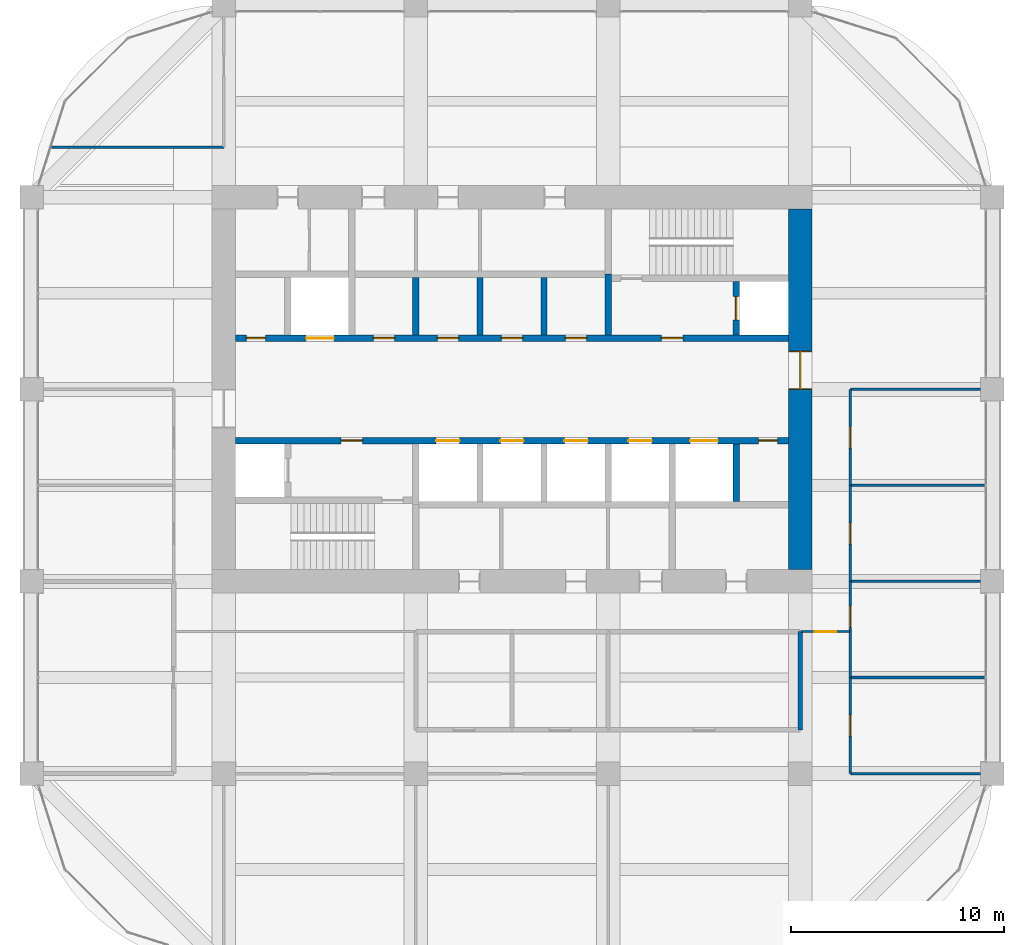
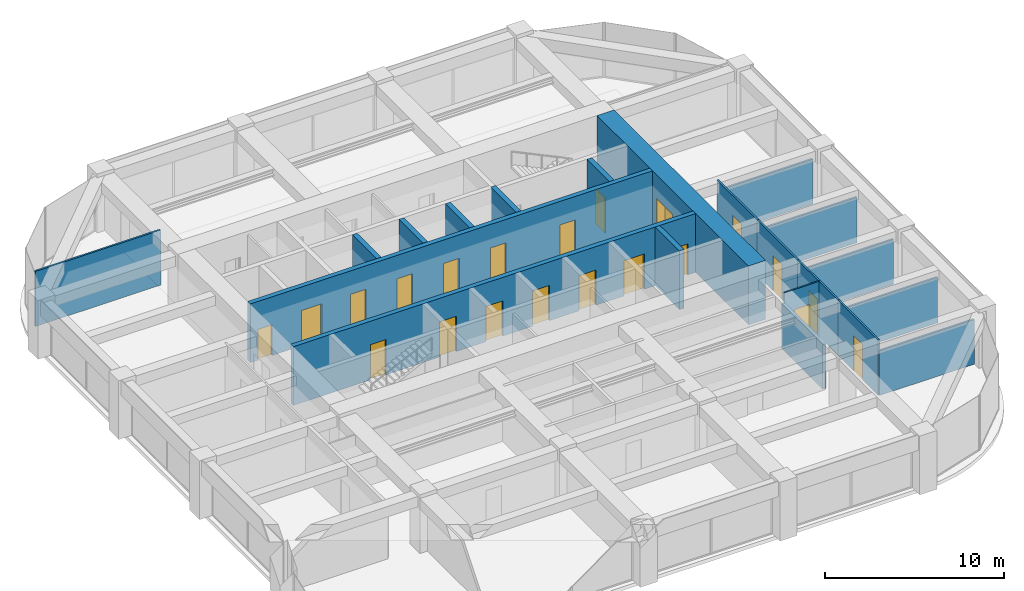
# One storey, part 42 of 44: 21 doors, 21 walls, 21 openings.
"""IFC4 building model written with IfcOpenShell, lengths in metres."""

import ifcopenshell
import ifcopenshell.guid

model = None  # the IFC model being written
_history = None  # IfcOwnerHistory: only IFC2X3 demands one
_inside = {}  # id of a spatial element -> (the spatial element, [elements in it])
_under = {}  # id of a project, library or spatial element -> (it, [spatial elements below it])
_declared = {}  # id of a project -> (the project, [libraries it declares])
_typed = {}  # id of a type object -> (the type object, [elements of that type])
_made_of = {}  # id of a material, layer set ... -> (it, [elements and type objects made of it])


def new_model(schema):
    """Start an empty IFC model of exactly this schema.

    Asked for "IFC4X3", IfcOpenShell would pick the latest addendum, in which some entities
    have other attributes; the version numbers below select the first issue.
    IFC2X3 requires an IfcOwnerHistory on every rooted entity: one is made here for all.
    """
    global model, _history
    if schema == "IFC4X3":
        model = ifcopenshell.file(schema_version=(4, 3, 0, 0))
    else:
        model = ifcopenshell.file(schema=schema)
    _inside.clear()
    _under.clear()
    _declared.clear()
    _typed.clear()
    _made_of.clear()
    _history = None
    if model.schema == "IFC2X3":
        org = make("IfcOrganization", Name="unknown")
        user = make(
            "IfcPersonAndOrganization",
            ThePerson=make("IfcPerson", FamilyName="unknown"),
            TheOrganization=org,
        )
        app = make(
            "IfcApplication",
            ApplicationDeveloper=org,
            Version="unknown",
            ApplicationFullName="unknown",
            ApplicationIdentifier="unknown",
        )
        _history = make(
            "IfcOwnerHistory",
            OwningUser=user,
            OwningApplication=app,
            ChangeAction="ADDED",
            CreationDate=0,
        )
    return model


def make(cls, **values):
    """One entity of the class cls with the attributes given. An attribute that is None is left unset."""
    return model.create_entity(
        cls, **{name: value for name, value in values.items() if value is not None}
    )


def rooted(cls, **values):
    """An entity with a GlobalId (a new one), such as an element, a storey or a relation."""
    return make(cls, GlobalId=ifcopenshell.guid.new(), OwnerHistory=_history, **values)


def si_unit(unit_type, name, prefix=None):
    """IfcSIUnit, for example si_unit("LENGTHUNIT", "METRE", prefix="MILLI")."""
    return make("IfcSIUnit", UnitType=unit_type, Prefix=prefix, Name=name)


def assignment(units):
    """IfcUnitAssignment: the units of a project."""
    return None if units is None else make("IfcUnitAssignment", Units=units)


def point(xyz):
    """IfcCartesianPoint."""
    return None if xyz is None else make("IfcCartesianPoint", Coordinates=xyz)


def direction(xyz):
    """IfcDirection."""
    return None if xyz is None else make("IfcDirection", DirectionRatios=xyz)


def frame(location, z_axis=None, x_axis=None):
    """IfcAxis2Placement3D, a coordinate frame: its origin and axes. An axis left out is left unset."""
    return make(
        "IfcAxis2Placement3D",
        Location=point(location),
        Axis=direction(z_axis),
        RefDirection=direction(x_axis),
    )


def frame_2d(location, x_axis=None):
    """IfcAxis2Placement2D, a coordinate frame in the plane: its origin and x axis."""
    return make(
        "IfcAxis2Placement2D", Location=point(location), RefDirection=direction(x_axis)
    )


def origin():
    """The frame at (0, 0, 0) with its axes left unset."""
    return frame((0.0, 0.0, 0.0))


def place(relative_to, where):
    """IfcLocalPlacement: puts the frame where relative to a parent placement (None: the world)."""
    return make(
        "IfcLocalPlacement", PlacementRelTo=relative_to, RelativePlacement=where
    )


def context(
    kind, dimensions, precision=None, world=None, true_north=None, identifier=None
):
    """IfcGeometricRepresentationContext, for example the 3D "Model" context."""
    return make(
        "IfcGeometricRepresentationContext",
        ContextIdentifier=identifier,
        ContextType=kind,
        CoordinateSpaceDimension=dimensions,
        Precision=precision,
        WorldCoordinateSystem=world,
        TrueNorth=true_north,
    )


def subcontext(parent, identifier, kind, view, scale=None):
    """IfcGeometricRepresentationSubContext, for example "Body" below "Model"."""
    return make(
        "IfcGeometricRepresentationSubContext",
        ContextIdentifier=identifier,
        ContextType=kind,
        ParentContext=parent,
        TargetScale=scale,
        TargetView=view,
    )


def project(units=None, contexts=None):
    """IfcProject with its units and contexts."""
    return rooted(
        "IfcProject",
        Name="project",
        RepresentationContexts=contexts,
        UnitsInContext=assignment(units),
    )


def spatial(cls, under=None, at=None, **own):
    """A site, building, storey or space (cls), placed at a placement, below another one or the project."""
    s = rooted(cls, ObjectPlacement=at, **own)
    if under is not None:
        _under.setdefault(under.id(), (under, []))[1].append(s)
    return s


def profile(cls, at=None, kind="AREA", **sizes):
    """A parametric profile (cls). Its sizes go by their IFC names, for example OverallWidth=200.0."""
    return make(cls, ProfileType=kind, Position=at, **sizes)


def rectangle(**sizes):
    """IfcRectangleProfileDef."""
    return profile("IfcRectangleProfileDef", **sizes)


def extrude(swept, where, along, depth):
    """IfcExtrudedAreaSolid: the profile swept, set in the frame where, extruded along a direction by depth."""
    return make(
        "IfcExtrudedAreaSolid",
        SweptArea=swept,
        Position=where,
        ExtrudedDirection=direction(along),
        Depth=depth,
    )


def shape(context_of_items, identifier, shape_type, items):
    """IfcShapeRepresentation: the items that make up one representation, for example the "Body"."""
    return make(
        "IfcShapeRepresentation",
        ContextOfItems=context_of_items,
        RepresentationIdentifier=identifier,
        RepresentationType=shape_type,
        Items=items,
    )


def material(Name=None, Category=None):
    """IfcMaterial."""
    return make("IfcMaterial", Name=Name, Category=Category)


def layer(
    of_material, thickness, ventilated=None, Name=None, Category=None, Priority=None
):
    """IfcMaterialLayer: one layer of a wall or slab, of a material (None: an air gap)."""
    return make(
        "IfcMaterialLayer",
        Material=of_material,
        LayerThickness=thickness,
        IsVentilated=ventilated,
        Name=Name,
        Category=Category,
        Priority=Priority,
    )


def layer_set(layers, Name=None):
    """IfcMaterialLayerSet."""
    return make("IfcMaterialLayerSet", MaterialLayers=layers, LayerSetName=Name)


def made_of(thing, what):
    """Note that an element or type object is made of a material, layer set ...; save() writes the relation."""
    if what is not None:
        _made_of.setdefault(what.id(), (what, []))[1].append(thing)
    return thing


def type_object(cls, material=None, **own):
    """A type object (cls), such as IfcWallType, which elements share."""
    return made_of(rooted(cls, **own), material)


def element(
    cls,
    number,
    at=None,
    inside=None,
    cuts=None,
    type_object=None,
    material=None,
    context=None,
    identifier="Body",
    shape_type=None,
    held_by="IfcProductDefinitionShape",
    body=None,
    shapes=None,
    **own,
):
    """One element of the class cls, such as IfcWall. Its Tag is "e" and its number.

    at: its placement. inside: the storey or other place that contains it. cuts: it is an
    opening in that element (IfcRelVoidsElement). A single representation is given by context,
    identifier, shape_type and body (its items); several are given by shapes. held_by: the class
    of the entity that holds the representations. save() writes the other relations.
    """
    e = rooted(cls, Tag="e%d" % number, ObjectPlacement=at, **own)
    if body is not None:
        shapes = [shape(context, identifier, shape_type, body)]
    if shapes is not None:
        e.Representation = make(held_by, Representations=shapes)
    if inside is not None:
        _inside.setdefault(inside.id(), (inside, []))[1].append(e)
    if cuts is not None:
        rooted(
            "IfcRelVoidsElement", RelatingBuildingElement=cuts, RelatedOpeningElement=e
        )
    if type_object is not None:
        _typed.setdefault(type_object.id(), (type_object, []))[1].append(e)
    return made_of(e, material)


def fill(opening, filler):
    """IfcRelFillsElement: the door or window that sits in an opening."""
    return rooted(
        "IfcRelFillsElement",
        RelatingOpeningElement=opening,
        RelatedBuildingElement=filler,
    )


def aggregate(whole, parts):
    """IfcRelAggregates: a whole, such as a stair, and the parts it consists of."""
    return rooted("IfcRelAggregates", RelatingObject=whole, RelatedObjects=parts)


def save(model, path):
    """Write the relations noted so far, then the file.

    IfcRelAggregates (storeys below a building ...), IfcRelContainedInSpatialStructure (elements
    in a storey), IfcRelDefinesByType, IfcRelAssociatesMaterial and IfcRelDeclares: one each for
    every whole, place, type object, material and project.
    """
    for whole, parts in _under.values():
        aggregate(whole, parts)
    for where, things in _inside.values():
        rooted(
            "IfcRelContainedInSpatialStructure",
            RelatedElements=things,
            RelatingStructure=where,
        )
    for kind, things in _typed.values():
        rooted("IfcRelDefinesByType", RelatedObjects=things, RelatingType=kind)
    for what, things in _made_of.values():
        rooted("IfcRelAssociatesMaterial", RelatedObjects=things, RelatingMaterial=what)
    for by, libraries in _declared.values():
        rooted("IfcRelDeclares", RelatingContext=by, RelatedDefinitions=libraries)
    model.write(path)


model = new_model("IFC4")

# Units and contexts
model_context = context("Model", 3, precision=1e-05, world=origin(), true_north=direction((0.0, 1.0)))
body_context = subcontext(model_context, "Body", "Model", "MODEL_VIEW")
ifc_project = project(units=[si_unit("LENGTHUNIT", "METRE"), si_unit("AREAUNIT", "SQUARE_METRE"), si_unit("VOLUMEUNIT", "CUBIC_METRE"), si_unit("PLANEANGLEUNIT", "RADIAN"), si_unit("MASSUNIT", "GRAM", prefix="KILO")], contexts=[model_context])

# Site, building, storey
site_placement = place(None, origin())
site = spatial("IfcSite", under=ifc_project, at=site_placement, CompositionType="ELEMENT")
building_placement = place(site_placement, origin())
building = spatial("IfcBuilding", under=site, at=building_placement, Name="Zorevar Civic Tower", CompositionType="ELEMENT")
storey_placement = place(building_placement, frame((0.0, 0.0, 263.39990234375)))
storey = spatial("IfcBuildingStorey", under=building, at=storey_placement, Name="L64", CompositionType="ELEMENT", Elevation=263.39990234375)

# Wall
ifc_material_1 = material(Name="Concrete blockwork", Category="masonry")
ifc_layer_1 = layer(ifc_material_1, 0.199951171875)
ifc_layer_set_1 = layer_set([ifc_layer_1], Name="Blockwork wall 200")
wall_type_1 = type_object("IfcWallType", Name="Blockwork wall 200", PredefinedType="SOLIDWALL", material=ifc_layer_set_1)
wall_1_placement = place(storey_placement, frame((45.0, 11.050048828125, 0.0), z_axis=(0.0, 0.0, 1.0), x_axis=(0.0, 1.0, 0.0)))
element("IfcWall", 1, at=wall_1_placement, inside=storey, type_object=wall_type_1, Name="Blockwork wall 200 L64", PredefinedType="SOLIDWALL", context=body_context, shape_type="SweptSolid", body=[
    extrude(rectangle(XDim=4.599853515625, YDim=0.199951171875, at=frame_2d((2.2998046875, 0.0))), origin(), (0.0, 0.0, 1.0), 3.050048828125),
])

# Wall, opening, door
ifc_material_2 = material(Name="Concrete C50/60", Category="concrete")
ifc_layer_2 = layer(ifc_material_2, 1.10009765625)
ifc_layer_set_2 = layer_set([ifc_layer_2], Name="Core wall 1100")
wall_type_2 = type_object("IfcWallType", Name="Core wall 1100", PredefinedType="SHEAR", material=ifc_layer_set_2)
wall_2_placement = place(storey_placement, frame((45.0, 18.550048828125, 0.0), z_axis=(0.0, 0.0, 1.0), x_axis=(0.0, 1.0, 0.0)))
wall_2 = element("IfcWall", 2, at=wall_2_placement, inside=storey, type_object=wall_type_2, Name="Core wall E L64", PredefinedType="SHEAR", context=body_context, shape_type="SweptSolid", body=[
    extrude(rectangle(XDim=16.89990234375, YDim=1.10009765625, at=frame_2d((8.449951171875, 0.0))), origin(), (0.0, 0.0, 1.0), 4.0),
])
opening_1_placement = place(wall_2_placement, frame((8.449951171875, 0.0, 0.0)))
opening_1 = element("IfcOpeningElement", 3, at=opening_1_placement, cuts=wall_2, Name="Opening L64.02", PredefinedType="OPENING", context=body_context, shape_type="SweptSolid", body=[
    extrude(rectangle(XDim=1.800048828125, YDim=2.39990234375, at=frame_2d((0.89990234375, 1.199951171875))), frame((0.0, 0.56005859375, 0.0), z_axis=(0.0, -1.0, 0.0), x_axis=(1.0, 0.0, 0.0)), (0.0, 0.0, 1.0), 1.1201171875),
])
ifc_material_3 = material(Name="Steel door set", Category="steel")
door_type_1 = type_object("IfcDoorType", Name="Fire door FD2 1800x2400", OperationType="DOUBLE_DOOR_DOUBLE_SWING", PredefinedType="DOOR", material=ifc_material_3)
door_1_placement = place(opening_1_placement, origin())
door_1 = element("IfcDoor", 4, at=door_1_placement, inside=storey, type_object=door_type_1, Name="Door L64 01", OperationType="DOUBLE_DOOR_DOUBLE_SWING", OverallHeight=2.39990234375, OverallWidth=1.800048828125, PredefinedType="DOOR", context=body_context, shape_type="SweptSolid", body=[
    extrude(rectangle(XDim=1.800048828125, YDim=2.39990234375, at=frame_2d((0.89990234375, 1.199951171875))), frame((0.0, 0.030029296875, 0.0), z_axis=(0.0, -1.0, 0.0), x_axis=(1.0, 0.0, 0.0)), (0.0, 0.0, 1.0), 0.06005859375),
    extrude(rectangle(XDim=0.04, YDim=2.39990234375, at=frame_2d((0.02001953125, 1.199951171875))), frame((0.0, 0.5498046875, 0.0), z_axis=(0.0, -1.0, 0.0), x_axis=(1.0, 0.0, 0.0)), (0.0, 0.0, 1.0), 1.099609375),
    extrude(rectangle(XDim=0.04, YDim=2.39990234375, at=frame_2d((1.780029296875, 1.199951171875))), frame((0.0, 0.5498046875, 0.0), z_axis=(0.0, -1.0, 0.0), x_axis=(1.0, 0.0, 0.0)), (0.0, 0.0, 1.0), 1.099609375),
    extrude(rectangle(XDim=1.800048828125, YDim=0.04, at=frame_2d((0.89990234375, 2.3798828125))), frame((0.0, 0.5498046875, 0.0), z_axis=(0.0, -1.0, 0.0), x_axis=(1.0, 0.0, 0.0)), (0.0, 0.0, 1.0), 1.099609375),
])
fill(opening_1, door_1)

ifc_material_4 = material(Name="Laminated glass in black aluminium frame", Category="aluminium")
ifc_layer_3 = layer(ifc_material_4, 0.10009765625)
ifc_layer_set_3 = layer_set([ifc_layer_3], Name="Glazed partition 100")
wall_type_3 = type_object("IfcWallType", Name="Glazed partition 100", PredefinedType="PARTITIONING", material=ifc_layer_set_3)
wall_3_placement = place(storey_placement, frame((45.050048828125, 15.64990234375, 0.0), z_axis=(0.0, 0.0, 1.0), x_axis=(1.0, 0.0, 0.0)))
wall_3 = element("IfcWall", 5, at=wall_3_placement, inside=storey, type_object=wall_type_3, Name="Glazed partition 100 L64", PredefinedType="PARTITIONING", context=body_context, shape_type="SweptSolid", body=[
    extrude(rectangle(XDim=2.2900390625, YDim=0.10009765625, at=frame_2d((1.14501953125, 0.0))), origin(), (0.0, 0.0, 1.0), 3.75),
])
opening_2_placement = place(wall_3_placement, frame((0.64501953125, 0.0, 0.0)))
opening_2 = element("IfcOpeningElement", 6, at=opening_2_placement, cuts=wall_3, Name="Opening L64.22", PredefinedType="OPENING", context=body_context, shape_type="SweptSolid", body=[
    extrude(rectangle(XDim=1.0, YDim=2.39990234375, at=frame_2d((0.5, 1.199951171875))), frame((0.0, 0.06005859375, 0.0), z_axis=(0.0, -1.0, 0.0), x_axis=(1.0, 0.0, 0.0)), (0.0, 0.0, 1.0), 0.1201171875),
])
ifc_material_5 = material(Name="Timber door set", Category="wood")
door_type_2 = type_object("IfcDoorType", Name="Glazed door GD1 1000x2400", OperationType="SINGLE_SWING_LEFT", PredefinedType="DOOR", material=ifc_material_5)
door_2_placement = place(opening_2_placement, origin())
door_2 = element("IfcDoor", 7, at=door_2_placement, inside=storey, type_object=door_type_2, Name="Door L64 D1", OperationType="SINGLE_SWING_LEFT", OverallHeight=2.39990234375, OverallWidth=1.0, PredefinedType="DOOR", context=body_context, shape_type="SweptSolid", body=[
    extrude(rectangle(XDim=1.0, YDim=2.39990234375, at=frame_2d((0.5, 1.199951171875))), frame((0.0, 0.02001953125, 0.0), z_axis=(0.0, -1.0, 0.0), x_axis=(1.0, 0.0, 0.0)), (0.0, 0.0, 1.0), 0.0400390625),
])
fill(opening_2, door_2)

ifc_material_6 = material(Name="Concrete C40/50", Category="concrete")
ifc_layer_4 = layer(ifc_material_6, 0.300048828125)
ifc_layer_set_4 = layer_set([ifc_layer_4], Name="Inner core wall 300")
wall_type_4 = type_object("IfcWallType", Name="Inner core wall 300", PredefinedType="SHEAR", material=ifc_layer_set_4)
wall_4_placement = place(storey_placement, frame((42.0, 29.550048828125, 0.0), z_axis=(0.0, 0.0, 1.0), x_axis=(0.0, 1.0, 0.0)))
wall_4 = element("IfcWall", 8, at=wall_4_placement, inside=storey, type_object=wall_type_4, Name="Inner core wall N02 L64", PredefinedType="SHEAR", context=body_context, shape_type="SweptSolid", body=[
    extrude(rectangle(XDim=2.5, YDim=0.300048828125, at=frame_2d((1.25, 0.0))), origin(), (0.0, 0.0, 1.0), 4.0),
])
opening_3_placement = place(wall_4_placement, frame((0.699951171875, 0.0, 0.0)))
opening_3 = element("IfcOpeningElement", 9, at=opening_3_placement, cuts=wall_4, Name="Opening L64.FL2", PredefinedType="OPENING", context=body_context, shape_type="SweptSolid", body=[
    extrude(rectangle(XDim=1.10009765625, YDim=2.39990234375, at=frame_2d((0.550048828125, 1.199951171875))), frame((0.0, 0.159912109375, 0.0), z_axis=(0.0, -1.0, 0.0), x_axis=(1.0, 0.0, 0.0)), (0.0, 0.0, 1.0), 0.320068359375),
])
ifc_material_7 = material(Name="Steel door set", Category="steel")
door_type_3 = type_object("IfcDoorType", Name="Firefighting lift landing door LD3 1100x2400", OperationType="DOUBLE_DOOR_SLIDING", PredefinedType="DOOR", material=ifc_material_7)
door_3_placement = place(opening_3_placement, origin())
door_3 = element("IfcDoor", 10, at=door_3_placement, inside=storey, type_object=door_type_3, Name="Landing door FL2 L64", OperationType="DOUBLE_DOOR_SLIDING", OverallHeight=2.39990234375, OverallWidth=1.10009765625, PredefinedType="DOOR", context=body_context, shape_type="SweptSolid", body=[
    extrude(rectangle(XDim=1.10009765625, YDim=2.39990234375, at=frame_2d((0.550048828125, 1.199951171875))), frame((0.0, 0.030029296875, 0.0), z_axis=(0.0, -1.0, 0.0), x_axis=(1.0, 0.0, 0.0)), (0.0, 0.0, 1.0), 0.06005859375),
])
fill(opening_3, door_3)

# Wall, openings, doors
wall_5_placement = place(storey_placement, frame((18.550048828125, 24.60009765625, 0.0), z_axis=(0.0, 0.0, 1.0), x_axis=(1.0, 0.0, 0.0)))
wall_5 = element("IfcWall", 11, at=wall_5_placement, inside=storey, type_object=wall_type_4, Name="Inner core wall S03 L64", PredefinedType="SHEAR", context=body_context, shape_type="SweptSolid", body=[
    extrude(rectangle(XDim=25.89990234375, YDim=0.300048828125, at=frame_2d((12.949951171875, 0.0))), origin(), (0.0, 0.0, 1.0), 4.0),
])
opening_4_placement = place(wall_5_placement, frame((4.949951171875, 0.0, 0.0)))
opening_4 = element("IfcOpeningElement", 12, at=opening_4_placement, cuts=wall_5, Name="Opening L64.13", PredefinedType="OPENING", context=body_context, shape_type="SweptSolid", body=[
    extrude(rectangle(XDim=1.0, YDim=2.39990234375, at=frame_2d((0.5, 1.199951171875))), frame((0.0, 0.159912109375, 0.0), z_axis=(0.0, -1.0, 0.0), x_axis=(1.0, 0.0, 0.0)), (0.0, 0.0, 1.0), 0.320068359375),
])
opening_5_placement = place(wall_5_placement, frame((24.5, 0.0, 0.0)))
opening_5 = element("IfcOpeningElement", 13, at=opening_5_placement, cuts=wall_5, Name="Opening L64.15", PredefinedType="OPENING", context=body_context, shape_type="SweptSolid", body=[
    extrude(rectangle(XDim=0.89990234375, YDim=2.10009765625, at=frame_2d((0.449951171875, 1.050048828125))), frame((0.0, 0.159912109375, 0.0), z_axis=(0.0, -1.0, 0.0), x_axis=(1.0, 0.0, 0.0)), (0.0, 0.0, 1.0), 0.320068359375),
])
opening_6_placement = place(wall_5_placement, frame((9.39990234375, 0.0, 0.0)))
opening_6 = element("IfcOpeningElement", 14, at=opening_6_placement, cuts=wall_5, Name="Opening L64.LT1", PredefinedType="OPENING", context=body_context, shape_type="SweptSolid", body=[
    extrude(rectangle(XDim=1.10009765625, YDim=2.39990234375, at=frame_2d((0.550048828125, 1.199951171875))), frame((0.0, 0.159912109375, 0.0), z_axis=(0.0, -1.0, 0.0), x_axis=(1.0, 0.0, 0.0)), (0.0, 0.0, 1.0), 0.320068359375),
])
opening_7_placement = place(wall_5_placement, frame((12.39990234375, 0.0, 0.0)))
opening_7 = element("IfcOpeningElement", 15, at=opening_7_placement, cuts=wall_5, Name="Opening L64.LT2", PredefinedType="OPENING", context=body_context, shape_type="SweptSolid", body=[
    extrude(rectangle(XDim=1.10009765625, YDim=2.39990234375, at=frame_2d((0.550048828125, 1.199951171875))), frame((0.0, 0.159912109375, 0.0), z_axis=(0.0, -1.0, 0.0), x_axis=(1.0, 0.0, 0.0)), (0.0, 0.0, 1.0), 0.320068359375),
])
opening_8_placement = place(wall_5_placement, frame((15.39990234375, 0.0, 0.0)))
opening_8 = element("IfcOpeningElement", 16, at=opening_8_placement, cuts=wall_5, Name="Opening L64.LT3", PredefinedType="OPENING", context=body_context, shape_type="SweptSolid", body=[
    extrude(rectangle(XDim=1.10009765625, YDim=2.39990234375, at=frame_2d((0.550048828125, 1.199951171875))), frame((0.0, 0.159912109375, 0.0), z_axis=(0.0, -1.0, 0.0), x_axis=(1.0, 0.0, 0.0)), (0.0, 0.0, 1.0), 0.320068359375),
])
opening_9_placement = place(wall_5_placement, frame((18.39990234375, 0.0, 0.0)))
opening_9 = element("IfcOpeningElement", 17, at=opening_9_placement, cuts=wall_5, Name="Opening L64.LT4", PredefinedType="OPENING", context=body_context, shape_type="SweptSolid", body=[
    extrude(rectangle(XDim=1.10009765625, YDim=2.39990234375, at=frame_2d((0.550048828125, 1.199951171875))), frame((0.0, 0.159912109375, 0.0), z_axis=(0.0, -1.0, 0.0), x_axis=(1.0, 0.0, 0.0)), (0.0, 0.0, 1.0), 0.320068359375),
])
opening_10_placement = place(wall_5_placement, frame((21.300048828125, 0.0, 0.0)))
opening_10 = element("IfcOpeningElement", 18, at=opening_10_placement, cuts=wall_5, Name="Opening L64.SL1", PredefinedType="OPENING", context=body_context, shape_type="SweptSolid", body=[
    extrude(rectangle(XDim=1.300048828125, YDim=2.39990234375, at=frame_2d((0.64990234375, 1.199951171875))), frame((0.0, 0.159912109375, 0.0), z_axis=(0.0, -1.0, 0.0), x_axis=(1.0, 0.0, 0.0)), (0.0, 0.0, 1.0), 0.320068359375),
])
ifc_material_8 = material(Name="Steel door set", Category="steel")
door_type_4 = type_object("IfcDoorType", Name="Fire door FD1 1000x2400", OperationType="SINGLE_SWING_LEFT", PredefinedType="DOOR", material=ifc_material_8)
door_4_placement = place(opening_4_placement, origin())
door_4 = element("IfcDoor", 19, at=door_4_placement, inside=storey, type_object=door_type_4, Name="Door L64 12", OperationType="SINGLE_SWING_RIGHT", OverallHeight=2.39990234375, OverallWidth=1.0, PredefinedType="DOOR", context=body_context, shape_type="SweptSolid", body=[
    extrude(rectangle(XDim=1.0, YDim=2.39990234375, at=frame_2d((0.5, 1.199951171875))), frame((0.0, 0.030029296875, 0.0), z_axis=(0.0, -1.0, 0.0), x_axis=(1.0, 0.0, 0.0)), (0.0, 0.0, 1.0), 0.06005859375),
])
fill(opening_4, door_4)
ifc_material_9 = material(Name="Steel door set", Category="steel")
door_type_5 = type_object("IfcDoorType", Name="Landing door LD1 1100x2400", OperationType="DOUBLE_DOOR_SLIDING", PredefinedType="DOOR", material=ifc_material_9)
door_5_placement = place(opening_6_placement, origin())
door_5 = element("IfcDoor", 20, at=door_5_placement, inside=storey, type_object=door_type_5, Name="Landing door LT1 L64", OperationType="DOUBLE_DOOR_SLIDING", OverallHeight=2.39990234375, OverallWidth=1.10009765625, PredefinedType="DOOR", context=body_context, shape_type="SweptSolid", body=[
    extrude(rectangle(XDim=1.10009765625, YDim=2.39990234375, at=frame_2d((0.550048828125, 1.199951171875))), frame((0.0, 0.02001953125, 0.0), z_axis=(0.0, -1.0, 0.0), x_axis=(1.0, 0.0, 0.0)), (0.0, 0.0, 1.0), 0.0400390625),
])
fill(opening_6, door_5)
door_6_placement = place(opening_7_placement, origin())
door_6 = element("IfcDoor", 21, at=door_6_placement, inside=storey, type_object=door_type_5, Name="Landing door LT2 L64", OperationType="DOUBLE_DOOR_SLIDING", OverallHeight=2.39990234375, OverallWidth=1.10009765625, PredefinedType="DOOR", context=body_context, shape_type="SweptSolid", body=[
    extrude(rectangle(XDim=1.10009765625, YDim=2.39990234375, at=frame_2d((0.550048828125, 1.199951171875))), frame((0.0, 0.02001953125, 0.0), z_axis=(0.0, -1.0, 0.0), x_axis=(1.0, 0.0, 0.0)), (0.0, 0.0, 1.0), 0.0400390625),
])
fill(opening_7, door_6)
door_7_placement = place(opening_8_placement, origin())
door_7 = element("IfcDoor", 22, at=door_7_placement, inside=storey, type_object=door_type_5, Name="Landing door LT3 L64", OperationType="DOUBLE_DOOR_SLIDING", OverallHeight=2.39990234375, OverallWidth=1.10009765625, PredefinedType="DOOR", context=body_context, shape_type="SweptSolid", body=[
    extrude(rectangle(XDim=1.10009765625, YDim=2.39990234375, at=frame_2d((0.550048828125, 1.199951171875))), frame((0.0, 0.02001953125, 0.0), z_axis=(0.0, -1.0, 0.0), x_axis=(1.0, 0.0, 0.0)), (0.0, 0.0, 1.0), 0.0400390625),
])
fill(opening_8, door_7)
door_8_placement = place(opening_9_placement, origin())
door_8 = element("IfcDoor", 23, at=door_8_placement, inside=storey, type_object=door_type_5, Name="Landing door LT4 L64", OperationType="DOUBLE_DOOR_SLIDING", OverallHeight=2.39990234375, OverallWidth=1.10009765625, PredefinedType="DOOR", context=body_context, shape_type="SweptSolid", body=[
    extrude(rectangle(XDim=1.10009765625, YDim=2.39990234375, at=frame_2d((0.550048828125, 1.199951171875))), frame((0.0, 0.02001953125, 0.0), z_axis=(0.0, -1.0, 0.0), x_axis=(1.0, 0.0, 0.0)), (0.0, 0.0, 1.0), 0.0400390625),
])
fill(opening_9, door_8)
ifc_material_10 = material(Name="Steel door set", Category="steel")
door_type_6 = type_object("IfcDoorType", Name="Landing door LD2 1300x2400", OperationType="DOUBLE_DOOR_SLIDING", PredefinedType="DOOR", material=ifc_material_10)
door_9_placement = place(opening_10_placement, origin())
door_9 = element("IfcDoor", 24, at=door_9_placement, inside=storey, type_object=door_type_6, Name="Landing door SL1 L64", OperationType="DOUBLE_DOOR_SLIDING", OverallHeight=2.39990234375, OverallWidth=1.300048828125, PredefinedType="DOOR", context=body_context, shape_type="SweptSolid", body=[
    extrude(rectangle(XDim=1.300048828125, YDim=2.39990234375, at=frame_2d((0.64990234375, 1.199951171875))), frame((0.0, 0.02001953125, 0.0), z_axis=(0.0, -1.0, 0.0), x_axis=(1.0, 0.0, 0.0)), (0.0, 0.0, 1.0), 0.0400390625),
])
fill(opening_10, door_9)
ifc_material_11 = material(Name="Steel door set", Category="steel")
door_type_7 = type_object("IfcDoorType", Name="Riser door RD1 900x2100", OperationType="SINGLE_SWING_LEFT", PredefinedType="DOOR", material=ifc_material_11)
door_10_placement = place(opening_5_placement, origin())
door_10 = element("IfcDoor", 25, at=door_10_placement, inside=storey, type_object=door_type_7, Name="Door L64 14", OperationType="SINGLE_SWING_RIGHT", OverallHeight=2.10009765625, OverallWidth=0.89990234375, PredefinedType="DOOR", context=body_context, shape_type="SweptSolid", body=[
    extrude(rectangle(XDim=0.89990234375, YDim=2.10009765625, at=frame_2d((0.449951171875, 1.050048828125))), frame((0.0, 0.030029296875, 0.0), z_axis=(0.0, -1.0, 0.0), x_axis=(1.0, 0.0, 0.0)), (0.0, 0.0, 1.0), 0.06005859375),
])
fill(opening_5, door_10)

wall_6_placement = place(storey_placement, frame((18.550048828125, 29.39990234375, 0.0), z_axis=(0.0, 0.0, 1.0), x_axis=(1.0, 0.0, 0.0)))
wall_6 = element("IfcWall", 26, at=wall_6_placement, inside=storey, type_object=wall_type_4, Name="Inner core wall N03 L64", PredefinedType="SHEAR", context=body_context, shape_type="SweptSolid", body=[
    extrude(rectangle(XDim=25.89990234375, YDim=0.300048828125, at=frame_2d((12.949951171875, 0.0))), origin(), (0.0, 0.0, 1.0), 4.0),
])
opening_11_placement = place(wall_6_placement, frame((19.949951171875, 0.0, 0.0)))
opening_11 = element("IfcOpeningElement", 27, at=opening_11_placement, cuts=wall_6, Name="Opening L64.14", PredefinedType="OPENING", context=body_context, shape_type="SweptSolid", body=[
    extrude(rectangle(XDim=1.0, YDim=2.39990234375, at=frame_2d((0.5, 1.199951171875))), frame((0.0, 0.159912109375, 0.0), z_axis=(0.0, -1.0, 0.0), x_axis=(1.0, 0.0, 0.0)), (0.0, 0.0, 1.0), 0.320068359375),
])
opening_12_placement = place(wall_6_placement, frame((0.5, 0.0, 0.0)))
opening_12 = element("IfcOpeningElement", 28, at=opening_12_placement, cuts=wall_6, Name="Opening L64.16", PredefinedType="OPENING", context=body_context, shape_type="SweptSolid", body=[
    extrude(rectangle(XDim=0.89990234375, YDim=2.10009765625, at=frame_2d((0.449951171875, 1.050048828125))), frame((0.0, 0.159912109375, 0.0), z_axis=(0.0, -1.0, 0.0), x_axis=(1.0, 0.0, 0.0)), (0.0, 0.0, 1.0), 0.320068359375),
])
opening_13_placement = place(wall_6_placement, frame((15.449951171875, 0.0, 0.0)))
opening_13 = element("IfcOpeningElement", 29, at=opening_13_placement, cuts=wall_6, Name="Opening L64.32", PredefinedType="OPENING", context=body_context, shape_type="SweptSolid", body=[
    extrude(rectangle(XDim=1.0, YDim=2.39990234375, at=frame_2d((0.5, 1.199951171875))), frame((0.0, 0.159912109375, 0.0), z_axis=(0.0, -1.0, 0.0), x_axis=(1.0, 0.0, 0.0)), (0.0, 0.0, 1.0), 0.320068359375),
])
opening_14_placement = place(wall_6_placement, frame((12.449951171875, 0.0, 0.0)))
opening_14 = element("IfcOpeningElement", 30, at=opening_14_placement, cuts=wall_6, Name="Opening L64.33", PredefinedType="OPENING", context=body_context, shape_type="SweptSolid", body=[
    extrude(rectangle(XDim=1.0, YDim=2.39990234375, at=frame_2d((0.5, 1.199951171875))), frame((0.0, 0.159912109375, 0.0), z_axis=(0.0, -1.0, 0.0), x_axis=(1.0, 0.0, 0.0)), (0.0, 0.0, 1.0), 0.320068359375),
])
opening_15_placement = place(wall_6_placement, frame((9.449951171875, 0.0, 0.0)))
opening_15 = element("IfcOpeningElement", 31, at=opening_15_placement, cuts=wall_6, Name="Opening L64.34", PredefinedType="OPENING", context=body_context, shape_type="SweptSolid", body=[
    extrude(rectangle(XDim=1.0, YDim=2.39990234375, at=frame_2d((0.5, 1.199951171875))), frame((0.0, 0.159912109375, 0.0), z_axis=(0.0, -1.0, 0.0), x_axis=(1.0, 0.0, 0.0)), (0.0, 0.0, 1.0), 0.320068359375),
])
opening_16_placement = place(wall_6_placement, frame((6.449951171875, 0.0, 0.0)))
opening_16 = element("IfcOpeningElement", 32, at=opening_16_placement, cuts=wall_6, Name="Opening L64.35", PredefinedType="OPENING", context=body_context, shape_type="SweptSolid", body=[
    extrude(rectangle(XDim=1.0, YDim=2.39990234375, at=frame_2d((0.5, 1.199951171875))), frame((0.0, 0.159912109375, 0.0), z_axis=(0.0, -1.0, 0.0), x_axis=(1.0, 0.0, 0.0)), (0.0, 0.0, 1.0), 0.320068359375),
])
opening_17_placement = place(wall_6_placement, frame((3.300048828125, 0.0, 0.0)))
opening_17 = element("IfcOpeningElement", 33, at=opening_17_placement, cuts=wall_6, Name="Opening L64.SL2", PredefinedType="OPENING", context=body_context, shape_type="SweptSolid", body=[
    extrude(rectangle(XDim=1.300048828125, YDim=2.39990234375, at=frame_2d((0.64990234375, 1.199951171875))), frame((0.0, 0.159912109375, 0.0), z_axis=(0.0, -1.0, 0.0), x_axis=(1.0, 0.0, 0.0)), (0.0, 0.0, 1.0), 0.320068359375),
])
door_11_placement = place(opening_11_placement, origin())
door_11 = element("IfcDoor", 34, at=door_11_placement, inside=storey, type_object=door_type_4, Name="Door L64 13", OperationType="SINGLE_SWING_RIGHT", OverallHeight=2.39990234375, OverallWidth=1.0, PredefinedType="DOOR", context=body_context, shape_type="SweptSolid", body=[
    extrude(rectangle(XDim=1.0, YDim=2.39990234375, at=frame_2d((0.5, 1.199951171875))), frame((0.0, 0.030029296875, 0.0), z_axis=(0.0, -1.0, 0.0), x_axis=(1.0, 0.0, 0.0)), (0.0, 0.0, 1.0), 0.06005859375),
])
fill(opening_11, door_11)
door_12_placement = place(opening_13_placement, origin())
door_12 = element("IfcDoor", 35, at=door_12_placement, inside=storey, type_object=door_type_4, Name="Door L64 LM1 shaft room", OperationType="SINGLE_SWING_LEFT", OverallHeight=2.39990234375, OverallWidth=1.0, PredefinedType="DOOR", context=body_context, shape_type="SweptSolid", body=[
    extrude(rectangle(XDim=1.0, YDim=2.39990234375, at=frame_2d((0.5, 1.199951171875))), frame((0.0, 0.030029296875, 0.0), z_axis=(0.0, -1.0, 0.0), x_axis=(1.0, 0.0, 0.0)), (0.0, 0.0, 1.0), 0.06005859375),
])
fill(opening_13, door_12)
door_13_placement = place(opening_14_placement, origin())
door_13 = element("IfcDoor", 36, at=door_13_placement, inside=storey, type_object=door_type_4, Name="Door L64 LM2 shaft room", OperationType="SINGLE_SWING_LEFT", OverallHeight=2.39990234375, OverallWidth=1.0, PredefinedType="DOOR", context=body_context, shape_type="SweptSolid", body=[
    extrude(rectangle(XDim=1.0, YDim=2.39990234375, at=frame_2d((0.5, 1.199951171875))), frame((0.0, 0.030029296875, 0.0), z_axis=(0.0, -1.0, 0.0), x_axis=(1.0, 0.0, 0.0)), (0.0, 0.0, 1.0), 0.06005859375),
])
fill(opening_14, door_13)
door_14_placement = place(opening_15_placement, origin())
door_14 = element("IfcDoor", 37, at=door_14_placement, inside=storey, type_object=door_type_4, Name="Door L64 LH1 shaft room", OperationType="SINGLE_SWING_RIGHT", OverallHeight=2.39990234375, OverallWidth=1.0, PredefinedType="DOOR", context=body_context, shape_type="SweptSolid", body=[
    extrude(rectangle(XDim=1.0, YDim=2.39990234375, at=frame_2d((0.5, 1.199951171875))), frame((0.0, 0.030029296875, 0.0), z_axis=(0.0, -1.0, 0.0), x_axis=(1.0, 0.0, 0.0)), (0.0, 0.0, 1.0), 0.06005859375),
])
fill(opening_15, door_14)
door_15_placement = place(opening_16_placement, origin())
door_15 = element("IfcDoor", 38, at=door_15_placement, inside=storey, type_object=door_type_4, Name="Door L64 LH2 shaft room", OperationType="SINGLE_SWING_RIGHT", OverallHeight=2.39990234375, OverallWidth=1.0, PredefinedType="DOOR", context=body_context, shape_type="SweptSolid", body=[
    extrude(rectangle(XDim=1.0, YDim=2.39990234375, at=frame_2d((0.5, 1.199951171875))), frame((0.0, 0.030029296875, 0.0), z_axis=(0.0, -1.0, 0.0), x_axis=(1.0, 0.0, 0.0)), (0.0, 0.0, 1.0), 0.06005859375),
])
fill(opening_16, door_15)
door_16_placement = place(opening_17_placement, origin())
door_16 = element("IfcDoor", 39, at=door_16_placement, inside=storey, type_object=door_type_6, Name="Landing door SL2 L64", OperationType="DOUBLE_DOOR_SLIDING", OverallHeight=2.39990234375, OverallWidth=1.300048828125, PredefinedType="DOOR", context=body_context, shape_type="SweptSolid", body=[
    extrude(rectangle(XDim=1.300048828125, YDim=2.39990234375, at=frame_2d((0.64990234375, 1.199951171875))), frame((0.0, 0.02001953125, 0.0), z_axis=(0.0, -1.0, 0.0), x_axis=(1.0, 0.0, 0.0)), (0.0, 0.0, 1.0), 0.0400390625),
])
fill(opening_17, door_16)
door_17_placement = place(opening_12_placement, origin())
door_17 = element("IfcDoor", 40, at=door_17_placement, inside=storey, type_object=door_type_7, Name="Door L64 15", OperationType="SINGLE_SWING_RIGHT", OverallHeight=2.10009765625, OverallWidth=0.89990234375, PredefinedType="DOOR", context=body_context, shape_type="SweptSolid", body=[
    extrude(rectangle(XDim=0.89990234375, YDim=2.10009765625, at=frame_2d((0.449951171875, 1.050048828125))), frame((0.0, 0.030029296875, 0.0), z_axis=(0.0, -1.0, 0.0), x_axis=(1.0, 0.0, 0.0)), (0.0, 0.0, 1.0), 0.06005859375),
])
fill(opening_12, door_17)

# Walls
for number, where, z_axis, x_axis, name in (
    (41, (33.0, 29.550048828125, 0.0), (0.0, 0.0, 1.0), (0.0, 1.0, 0.0), "Inner core wall N05 L64"),
    (42, (30.0, 29.550048828125, 0.0), (0.0, 0.0, 1.0), (0.0, 1.0, 0.0), "Inner core wall N06 L64"),
    (43, (27.0, 29.550048828125, 0.0), (0.0, 0.0, 1.0), (0.0, 1.0, 0.0), "Inner core wall N07 L64"),
    (44, (42.0, 21.75, 0.0), (0.0, 0.0, 1.0), (0.0, 1.0, 0.0), "Inner core wall S09 L64"),
):
    element("IfcWall", number, at=place(storey_placement, frame(where, z_axis=z_axis, x_axis=x_axis)), inside=storey, type_object=wall_type_4, Name=name, PredefinedType="SHEAR", context=body_context, shape_type="SweptSolid", body=[
        extrude(rectangle(XDim=2.699951171875, YDim=0.300048828125, at=frame_2d((1.35009765625, 0.0))), origin(), (0.0, 0.0, 1.0), 4.0),
    ])
wall_7_placement = place(storey_placement, frame((36.0, 29.550048828125, 0.0), z_axis=(0.0, 0.0, 1.0), x_axis=(0.0, 1.0, 0.0)))
element("IfcWall", 45, at=wall_7_placement, inside=storey, type_object=wall_type_4, Name="Inner core wall N10 L64", PredefinedType="SHEAR", context=body_context, shape_type="SweptSolid", body=[
    extrude(rectangle(XDim=2.849853515625, YDim=0.300048828125, at=frame_2d((1.4248046875, 0.0))), origin(), (0.0, 0.0, 1.0), 4.0),
])
ifc_material_12 = material(Name="Gypsum board on steel studs", Category="steel")
ifc_layer_5 = layer(ifc_material_12, 0.1201171875)
ifc_layer_set_5 = layer_set([ifc_layer_5], Name="Partition 120")
wall_type_5 = type_object("IfcWallType", Name="Partition 120", PredefinedType="PARTITIONING", material=ifc_layer_set_5)
wall_8_placement = place(storey_placement, frame((47.35009765625, 9.0, 0.0), z_axis=(0.0, 0.0, 1.0), x_axis=(1.0, 0.0, 0.0)))
element("IfcWall", 46, at=wall_8_placement, inside=storey, type_object=wall_type_5, Name="Partition 120 L64", PredefinedType="PARTITIONING", context=body_context, shape_type="SweptSolid", body=[
    extrude(rectangle(XDim=6.099853515625, YDim=0.1201171875, at=frame_2d((3.0498046875, 0.0))), origin(), (0.0, 0.0, 1.0), 3.050048828125),
])
wall_9_placement = place(storey_placement, frame((47.35009765625, 13.5, 0.0), z_axis=(0.0, 0.0, 1.0), x_axis=(1.0, 0.0, 0.0)))
element("IfcWall", 47, at=wall_9_placement, inside=storey, type_object=wall_type_5, Name="Partition 120 L64", PredefinedType="PARTITIONING", context=body_context, shape_type="SweptSolid", body=[
    extrude(rectangle(XDim=6.33984375, YDim=0.1201171875, at=frame_2d((3.169921875, 0.0))), origin(), (0.0, 0.0, 1.0), 3.10009765625),
])
wall_10_placement = place(storey_placement, frame((47.35009765625, 18.0, 0.0), z_axis=(0.0, 0.0, 1.0), x_axis=(1.0, 0.0, 0.0)))
element("IfcWall", 48, at=wall_10_placement, inside=storey, type_object=wall_type_5, Name="Partition 120 L64", PredefinedType="PARTITIONING", context=body_context, shape_type="SweptSolid", body=[
    extrude(rectangle(XDim=6.099853515625, YDim=0.1201171875, at=frame_2d((3.0498046875, 0.0))), origin(), (0.0, 0.0, 1.0), 3.050048828125),
])
wall_11_placement = place(storey_placement, frame((47.35009765625, 22.5, 0.0), z_axis=(0.0, 0.0, 1.0), x_axis=(1.0, 0.0, 0.0)))
element("IfcWall", 49, at=wall_11_placement, inside=storey, type_object=wall_type_5, Name="Partition 120 L64", PredefinedType="PARTITIONING", context=body_context, shape_type="SweptSolid", body=[
    extrude(rectangle(XDim=6.33984375, YDim=0.1201171875, at=frame_2d((3.169921875, 0.0))), origin(), (0.0, 0.0, 1.0), 3.10009765625),
])
wall_12_placement = place(storey_placement, frame((47.35009765625, 27.0, 0.0), z_axis=(0.0, 0.0, 1.0), x_axis=(1.0, 0.0, 0.0)))
element("IfcWall", 50, at=wall_12_placement, inside=storey, type_object=wall_type_5, Name="Partition 120 L64", PredefinedType="PARTITIONING", context=body_context, shape_type="SweptSolid", body=[
    extrude(rectangle(XDim=6.099853515625, YDim=0.1201171875, at=frame_2d((3.0498046875, 0.0))), origin(), (0.0, 0.0, 1.0), 3.050048828125),
])
wall_13_placement = place(storey_placement, frame((9.917724609375, 38.35009765625, 0.0), z_axis=(0.0, 0.0, 1.0), x_axis=(1.0, 0.0, 0.0)))
element("IfcWall", 51, at=wall_13_placement, inside=storey, type_object=wall_type_5, Name="Partition 120 L64", PredefinedType="PARTITIONING", context=body_context, shape_type="SweptSolid", body=[
    extrude(rectangle(XDim=8.082275390625, YDim=0.1201171875, at=frame_2d((4.041015625, 0.0))), origin(), (0.0, 0.0, 1.0), 3.75),
])

# Wall, opening, door
wall_14_placement = place(storey_placement, frame((47.35009765625, 9.0, 0.0), z_axis=(0.0, 0.0, 1.0), x_axis=(0.0, 1.0, 0.0)))
wall_14 = element("IfcWall", 52, at=wall_14_placement, inside=storey, type_object=wall_type_5, Name="Partition 120 L64", PredefinedType="PARTITIONING", context=body_context, shape_type="SweptSolid", body=[
    extrude(rectangle(XDim=4.5, YDim=0.1201171875, at=frame_2d((2.25, 0.0))), origin(), (0.0, 0.0, 1.0), 3.75),
])
opening_18_placement = place(wall_14_placement, frame((1.75, 0.0, 0.0)))
opening_18 = element("IfcOpeningElement", 53, at=opening_18_placement, cuts=wall_14, Name="Opening L64.27", PredefinedType="OPENING", context=body_context, shape_type="SweptSolid", body=[
    extrude(rectangle(XDim=1.0, YDim=2.39990234375, at=frame_2d((0.5, 1.199951171875))), frame((0.0, 0.070068359375, 0.0), z_axis=(0.0, -1.0, 0.0), x_axis=(1.0, 0.0, 0.0)), (0.0, 0.0, 1.0), 0.14013671875),
])
ifc_material_13 = material(Name="Timber door set", Category="wood")
door_type_8 = type_object("IfcDoorType", Name="Door D1 1000x2400", OperationType="SINGLE_SWING_LEFT", PredefinedType="DOOR", material=ifc_material_13)
door_18_placement = place(opening_18_placement, origin())
door_18 = element("IfcDoor", 54, at=door_18_placement, inside=storey, type_object=door_type_8, Name="Door L64 D1", OperationType="SINGLE_SWING_LEFT", OverallHeight=2.39990234375, OverallWidth=1.0, PredefinedType="DOOR", context=body_context, shape_type="SweptSolid", body=[
    extrude(rectangle(XDim=1.0, YDim=2.39990234375, at=frame_2d((0.5, 1.199951171875))), frame((0.0, 0.02490234375, 0.0), z_axis=(0.0, -1.0, 0.0), x_axis=(1.0, 0.0, 0.0)), (0.0, 0.0, 1.0), 0.050048828125),
])
fill(opening_18, door_18)

wall_15_placement = place(storey_placement, frame((47.35009765625, 13.5, 0.0), z_axis=(0.0, 0.0, 1.0), x_axis=(0.0, 1.0, 0.0)))
wall_15 = element("IfcWall", 55, at=wall_15_placement, inside=storey, type_object=wall_type_5, Name="Partition 120 L64", PredefinedType="PARTITIONING", context=body_context, shape_type="SweptSolid", body=[
    extrude(rectangle(XDim=4.5, YDim=0.1201171875, at=frame_2d((2.25, 0.0))), origin(), (0.0, 0.0, 1.0), 3.75),
])
opening_19_placement = place(wall_15_placement, frame((2.35009765625, 0.0, 0.0)))
opening_19 = element("IfcOpeningElement", 56, at=opening_19_placement, cuts=wall_15, Name="Opening L64.28", PredefinedType="OPENING", context=body_context, shape_type="SweptSolid", body=[
    extrude(rectangle(XDim=1.0, YDim=2.39990234375, at=frame_2d((0.5, 1.199951171875))), frame((0.0, 0.070068359375, 0.0), z_axis=(0.0, -1.0, 0.0), x_axis=(1.0, 0.0, 0.0)), (0.0, 0.0, 1.0), 0.14013671875),
])
door_19_placement = place(opening_19_placement, origin())
door_19 = element("IfcDoor", 57, at=door_19_placement, inside=storey, type_object=door_type_8, Name="Door L64 D1", OperationType="SINGLE_SWING_LEFT", OverallHeight=2.39990234375, OverallWidth=1.0, PredefinedType="DOOR", context=body_context, shape_type="SweptSolid", body=[
    extrude(rectangle(XDim=1.0, YDim=2.39990234375, at=frame_2d((0.5, 1.199951171875))), frame((0.0, 0.02490234375, 0.0), z_axis=(0.0, -1.0, 0.0), x_axis=(1.0, 0.0, 0.0)), (0.0, 0.0, 1.0), 0.050048828125),
])
fill(opening_19, door_19)

wall_16_placement = place(storey_placement, frame((47.35009765625, 18.0, 0.0), z_axis=(0.0, 0.0, 1.0), x_axis=(0.0, 1.0, 0.0)))
wall_16 = element("IfcWall", 58, at=wall_16_placement, inside=storey, type_object=wall_type_5, Name="Partition 120 L64", PredefinedType="PARTITIONING", context=body_context, shape_type="SweptSolid", body=[
    extrude(rectangle(XDim=4.5, YDim=0.1201171875, at=frame_2d((2.25, 0.0))), origin(), (0.0, 0.0, 1.0), 3.75),
])
opening_20_placement = place(wall_16_placement, frame((1.75, 0.0, 0.0)))
opening_20 = element("IfcOpeningElement", 59, at=opening_20_placement, cuts=wall_16, Name="Opening L64.29", PredefinedType="OPENING", context=body_context, shape_type="SweptSolid", body=[
    extrude(rectangle(XDim=1.0, YDim=2.39990234375, at=frame_2d((0.5, 1.199951171875))), frame((0.0, 0.070068359375, 0.0), z_axis=(0.0, -1.0, 0.0), x_axis=(1.0, 0.0, 0.0)), (0.0, 0.0, 1.0), 0.14013671875),
])
door_20_placement = place(opening_20_placement, origin())
door_20 = element("IfcDoor", 60, at=door_20_placement, inside=storey, type_object=door_type_8, Name="Door L64 D1", OperationType="SINGLE_SWING_RIGHT", OverallHeight=2.39990234375, OverallWidth=1.0, PredefinedType="DOOR", context=body_context, shape_type="SweptSolid", body=[
    extrude(rectangle(XDim=1.0, YDim=2.39990234375, at=frame_2d((0.5, 1.199951171875))), frame((0.0, 0.02490234375, 0.0), z_axis=(0.0, -1.0, 0.0), x_axis=(1.0, 0.0, 0.0)), (0.0, 0.0, 1.0), 0.050048828125),
])
fill(opening_20, door_20)

wall_17_placement = place(storey_placement, frame((47.35009765625, 22.5, 0.0), z_axis=(0.0, 0.0, 1.0), x_axis=(0.0, 1.0, 0.0)))
wall_17 = element("IfcWall", 61, at=wall_17_placement, inside=storey, type_object=wall_type_5, Name="Partition 120 L64", PredefinedType="PARTITIONING", context=body_context, shape_type="SweptSolid", body=[
    extrude(rectangle(XDim=4.5, YDim=0.1201171875, at=frame_2d((2.25, 0.0))), origin(), (0.0, 0.0, 1.0), 3.75),
])
opening_21_placement = place(wall_17_placement, frame((1.75, 0.0, 0.0)))
opening_21 = element("IfcOpeningElement", 62, at=opening_21_placement, cuts=wall_17, Name="Opening L64.30", PredefinedType="OPENING", context=body_context, shape_type="SweptSolid", body=[
    extrude(rectangle(XDim=1.0, YDim=2.39990234375, at=frame_2d((0.5, 1.199951171875))), frame((0.0, 0.070068359375, 0.0), z_axis=(0.0, -1.0, 0.0), x_axis=(1.0, 0.0, 0.0)), (0.0, 0.0, 1.0), 0.14013671875),
])
door_21_placement = place(opening_21_placement, origin())
door_21 = element("IfcDoor", 63, at=door_21_placement, inside=storey, type_object=door_type_8, Name="Door L64 D1", OperationType="SINGLE_SWING_RIGHT", OverallHeight=2.39990234375, OverallWidth=1.0, PredefinedType="DOOR", context=body_context, shape_type="SweptSolid", body=[
    extrude(rectangle(XDim=1.0, YDim=2.39990234375, at=frame_2d((0.5, 1.199951171875))), frame((0.0, 0.02490234375, 0.0), z_axis=(0.0, -1.0, 0.0), x_axis=(1.0, 0.0, 0.0)), (0.0, 0.0, 1.0), 0.050048828125),
])
fill(opening_21, door_21)

save(model, "model.ifc")
